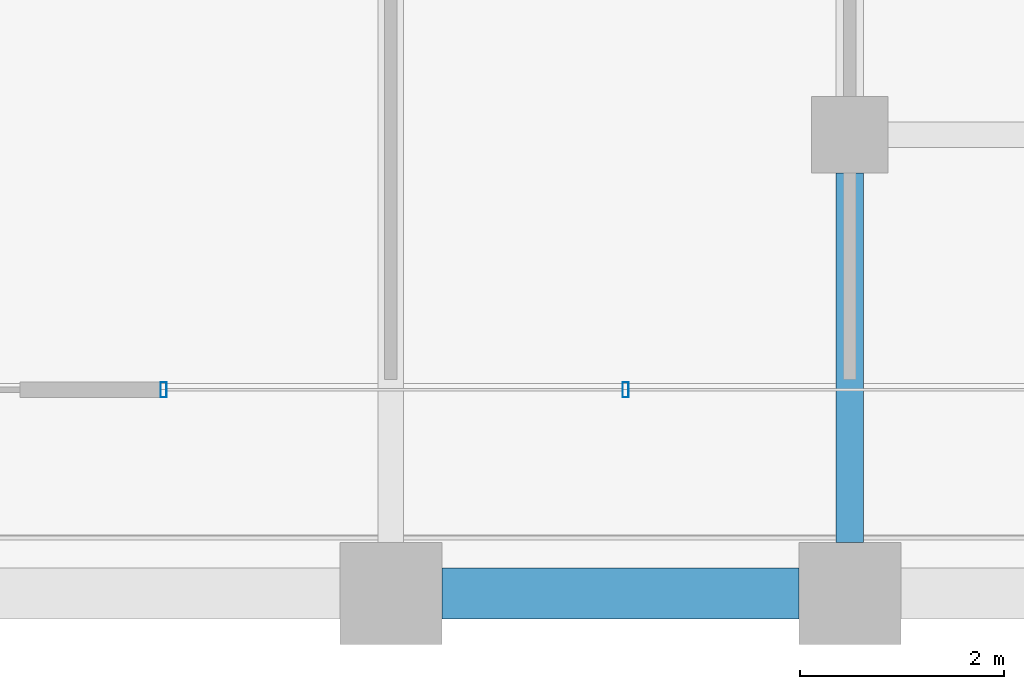
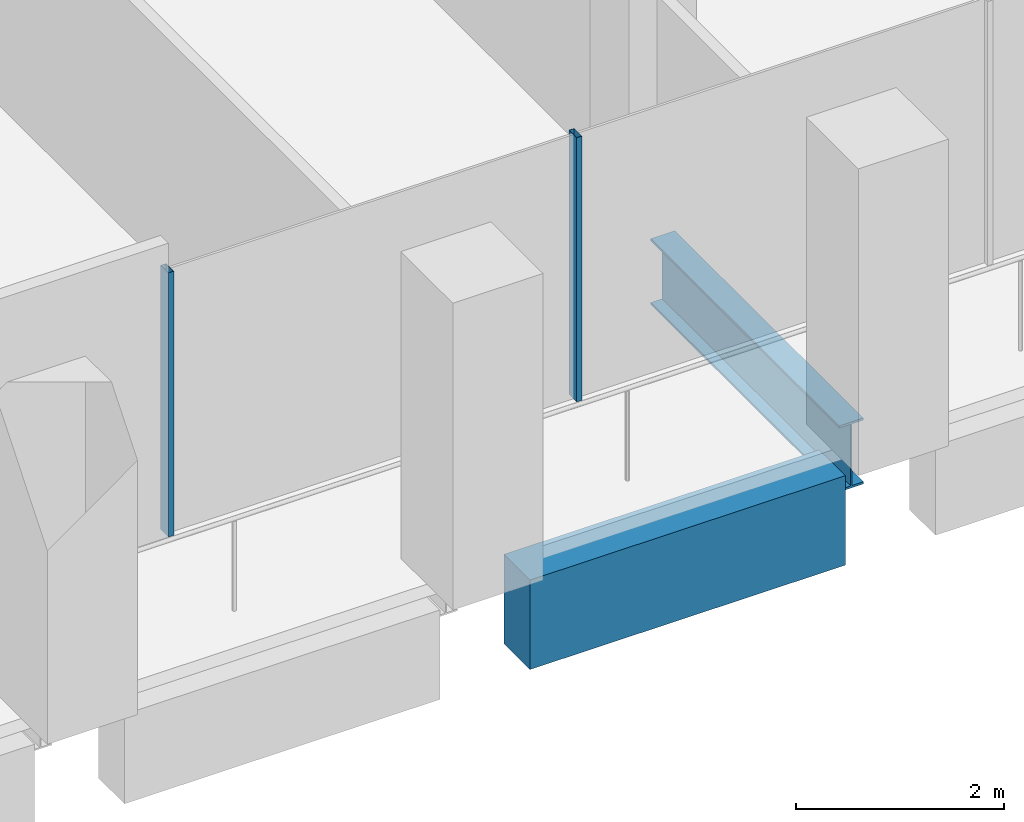
# One storey, part 9 of 46: 2 beams, 2 members, 1 element without a shape of its own.
"""IFC4 building model written with IfcOpenShell, lengths in metres."""

from ifc_helpers import new_model, si_unit, direction, frame, origin, origin_2d, place, context, subcontext, project, spatial, rectangle, hollow_rectangle, i_section, extrude, material, material_profile, profile_set, type_object, element, aggregate, save


model = new_model("IFC4")

# Units and contexts
model_context = context("Model", 3, precision=1e-05, world=origin(), true_north=direction((0.0, 1.0)))
body_context = subcontext(model_context, "Body", "Model", "MODEL_VIEW")
ifc_project = project(units=[si_unit("LENGTHUNIT", "METRE"), si_unit("AREAUNIT", "SQUARE_METRE"), si_unit("VOLUMEUNIT", "CUBIC_METRE"), si_unit("PLANEANGLEUNIT", "RADIAN"), si_unit("MASSUNIT", "GRAM", prefix="KILO")], contexts=[model_context])

# Site, building, storey
site_placement = place(None, origin())
site = spatial("IfcSite", under=ifc_project, at=site_placement, CompositionType="ELEMENT")
building_placement = place(site_placement, origin())
building = spatial("IfcBuilding", under=site, at=building_placement, Name="Altepetl Exchange Towers", CompositionType="ELEMENT")
storey_placement = place(building_placement, frame((0.0, 0.0, 120.800048828125)))
storey = spatial("IfcBuildingStorey", under=building, at=storey_placement, Name="L29", CompositionType="ELEMENT", Elevation=120.800048828125)

# Beam
ifc_material_1 = material(Name="Steel S355", Category="steel")
ifc_material_profile_1 = material_profile(ifc_material_1, i_section(OverallWidth=0.26806640625, OverallDepth=0.77392578125, WebThickness=0.015380859375, FlangeThickness=0.025390625, at=origin_2d()), Name="W30X132")
ifc_profile_set_1 = profile_set([ifc_material_profile_1], Name="Steel S355")
beam_type_1 = type_object("IfcBeamType", Name="Girder W30X132", PredefinedType="BEAM", material=ifc_profile_set_1)
beam_1_placement = place(storey_placement, frame((58.5, 31.125, -0.537109375), z_axis=(0.0, -1.0, 0.0), x_axis=(1.0, 0.0, 0.0)))
element("IfcBeam", 1, at=beam_1_placement, inside=storey, type_object=beam_type_1, Name="gd:A:L29:005", PredefinedType="BEAM", context=body_context, shape_type="SweptSolid", body=[
    extrude(i_section(OverallWidth=0.26806640625, OverallDepth=0.77392578125, WebThickness=0.015380859375, FlangeThickness=0.025390625, at=origin_2d()), origin(), (0.0, 0.0, 1.0), 3.625),
])

# Curtain wall, members
ifc_material_2 = material(Name="Aluminium 6063-T6 glazing", Category="aluminium")
curtain_wall_type = type_object("IfcCurtainWallType", Name="Loggia glazing system", PredefinedType="NOTDEFINED", material=ifc_material_2)
curtain_wall_placement = place(storey_placement, origin())
curtain_wall = element("IfcCurtainWall", 2, at=curtain_wall_placement, inside=storey, type_object=curtain_wall_type, Name="CW1 run", PredefinedType="NOTDEFINED")
ifc_material_3 = material(Name="Aluminium 6063-T6", Category="aluminium")
ifc_material_profile_2 = material_profile(ifc_material_3, hollow_rectangle(XDim=0.06005859375, YDim=0.14990234375, WallThickness=0.0029296875, at=origin_2d()), Name="Mullion 60x150 aluminium")
ifc_profile_set_2 = profile_set([ifc_material_profile_2], Name="Aluminium 6063-T6")
member_type = type_object("IfcMemberType", Name="Mullion 60x150 aluminium", PredefinedType="MULLION", material=ifc_profile_set_2)
member_1_placement = place(storey_placement, frame((51.77294921875, 29.0, 0.0)))
member_1 = element("IfcMember", 3, at=member_1_placement, type_object=member_type, Name="MU1 mullion", PredefinedType="MULLION", context=body_context, shape_type="SweptSolid", body=[
    extrude(hollow_rectangle(XDim=0.06005859375, YDim=0.14990234375, WallThickness=0.0029296875, at=origin_2d()), origin(), (0.0, 0.0, 1.0), 3.099853515625),
])
member_2_placement = place(storey_placement, frame((56.303466796875, 29.0, 0.0)))
member_2 = element("IfcMember", 4, at=member_2_placement, type_object=member_type, Name="MU1 mullion", PredefinedType="MULLION", context=body_context, shape_type="SweptSolid", body=[
    extrude(hollow_rectangle(XDim=0.06005859375, YDim=0.14990234375, WallThickness=0.0029296875, at=origin_2d()), origin(), (0.0, 0.0, 1.0), 3.099853515625),
])
aggregate(curtain_wall, [member_1, member_2])

# Beam
ifc_material_4 = material(Name="Concrete C50/60 precast with cantera blanca facing", Category="concrete")
ifc_material_profile_3 = material_profile(ifc_material_4, rectangle(XDim=0.5, YDim=1.050048828125, at=origin_2d()), Name="500 x 1050")
ifc_profile_set_3 = profile_set([ifc_material_profile_3], Name="Concrete C50/60 precast with cantera blanca facing")
beam_type_2 = type_object("IfcBeamType", Name="Spandrel beam 500x1050 cantera blanca", PredefinedType="SPANDREL", material=ifc_profile_set_3)
beam_2_placement = place(storey_placement, frame((54.5, 27.0, -0.675048828125), z_axis=(1.0, 0.0, 0.0), x_axis=(0.0, 1.0, 0.0)))
element("IfcBeam", 5, at=beam_2_placement, inside=storey, type_object=beam_type_2, Name="sp:A:L29:005", PredefinedType="SPANDREL", context=body_context, shape_type="SweptSolid", body=[
    extrude(rectangle(XDim=0.5, YDim=1.050048828125, at=origin_2d()), origin(), (0.0, 0.0, 1.0), 3.5),
])

save(model, "model.ifc")
